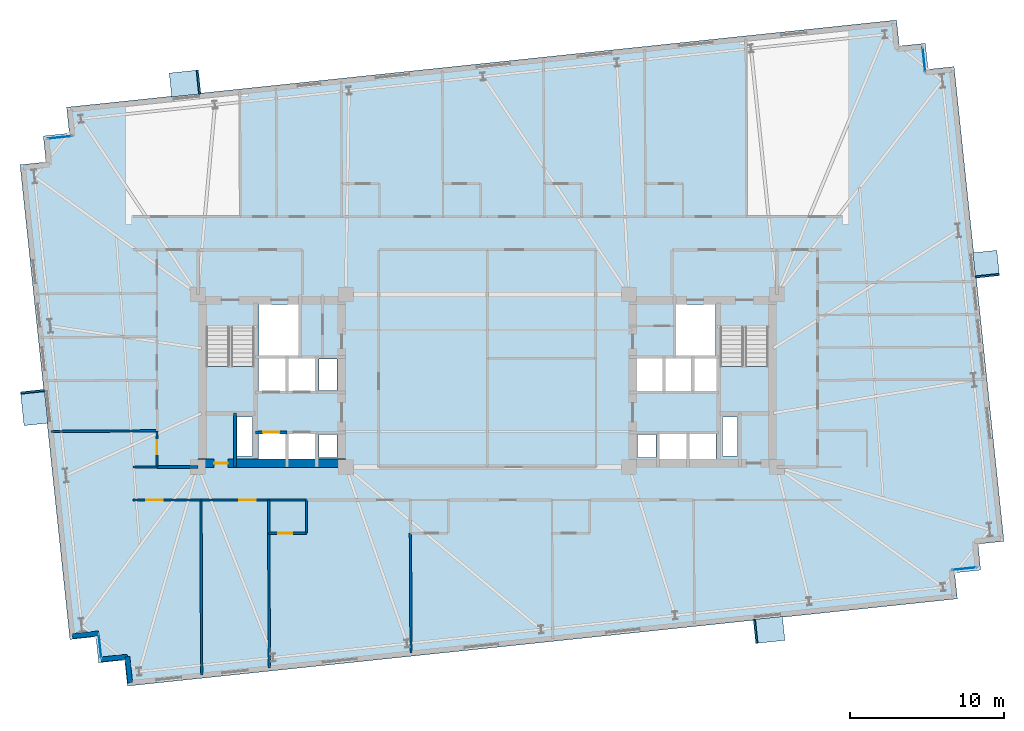
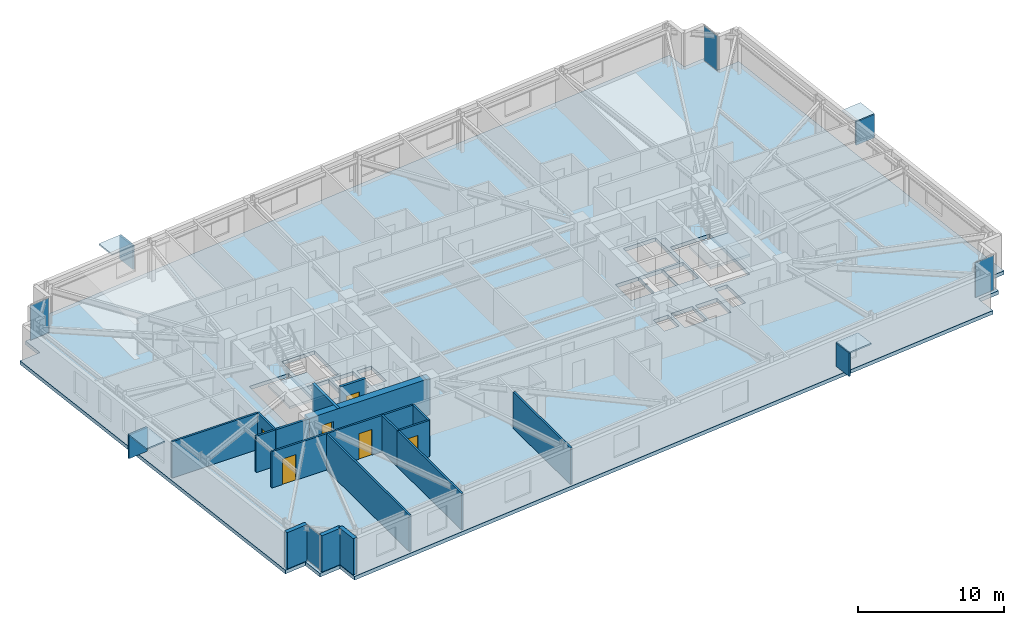
# One storey, part 11 of 20: 19 walls, 12 plates, 6 doors, 3 slabs, 6 openings, 6 elements without a shape of their own.
"""IFC4 building model written with IfcOpenShell, lengths in metres."""

from ifc_helpers import new_model, si_unit, direction, frame, frame_2d, origin, origin_2d, place, context, subcontext, project, spatial, polyline, rectangle, outline, extrude, material, layer, layer_set, type_object, element, fill, aggregate, save


model = new_model("IFC4")

# Units and contexts
model_context = context("Model", 3, precision=1e-05, world=origin(), true_north=direction((0.0, 1.0)))
body_context = subcontext(model_context, "Body", "Model", "MODEL_VIEW")
ifc_project = project(units=[si_unit("LENGTHUNIT", "METRE"), si_unit("AREAUNIT", "SQUARE_METRE"), si_unit("VOLUMEUNIT", "CUBIC_METRE"), si_unit("PLANEANGLEUNIT", "RADIAN"), si_unit("MASSUNIT", "GRAM", prefix="KILO")], contexts=[model_context])

# Site, building, storey
site_placement = place(None, origin())
site = spatial("IfcSite", under=ifc_project, at=site_placement, CompositionType="ELEMENT")
building_placement = place(site_placement, origin())
building = spatial("IfcBuilding", under=site, at=building_placement, Name="Qobustan Lattice House", CompositionType="ELEMENT")
storey_placement = place(building_placement, frame((0.0, 0.0, 89.050048828125)))
storey = spatial("IfcBuildingStorey", under=building, at=storey_placement, Name="L24", CompositionType="ELEMENT", Elevation=89.050048828125)

# Curtain wall, plate
ifc_material_1 = material(Name="Anodised aluminium and low-E glazing", Category="aluminium")
ifc_layer_1 = layer(ifc_material_1, 0.219970703125)
ifc_layer_set_1 = layer_set([ifc_layer_1], Name="Anodised aluminium and low-E glazing")
curtain_wall_type = type_object("IfcCurtainWallType", Name="CW-FAC-01", PredefinedType="USERDEFINED", material=ifc_layer_set_1)
curtain_wall_1_placement = place(storey_placement, origin())
curtain_wall_1 = element("IfcCurtainWall", 1, at=curtain_wall_1_placement, inside=storey, type_object=curtain_wall_type, Name="L24 serrated corner faceted glazing 3", ObjectType="CURTAIN WALL", PredefinedType="USERDEFINED")
ifc_material_2 = material(Name="Clear low-E laminated glass", Category="glass")
ifc_layer_2 = layer(ifc_material_2, 0.031982421875)
ifc_layer_set_2 = layer_set([ifc_layer_2], Name="Clear low-E laminated glass")
plate_type_1 = type_object("IfcPlateType", Name="CWP-VISION-32", PredefinedType="CURTAIN_PANEL", material=ifc_layer_set_2)
plate_1_placement = place(storey_placement, frame((-25.155029296875, -17.2509765625, 0.06494140625), z_axis=(0.0, 0.0, 1.0), x_axis=(-0.104528620025, 0.994521878892, 0.0)))
plate_1 = element("IfcPlate", 2, at=plate_1_placement, type_object=plate_type_1, Name="CW-F1 panel 1.1", PredefinedType="CURTAIN_PANEL", context=body_context, shape_type="SweptSolid", body=[
    extrude(rectangle(XDim=1.56005859375, YDim=0.031982421875, at=origin_2d()), origin(), (0.0, 0.0, 1.0), 2.9150390625),
])
aggregate(curtain_wall_1, [plate_1])

curtain_wall_2_placement = place(storey_placement, origin())
curtain_wall_2 = element("IfcCurtainWall", 3, at=curtain_wall_2_placement, inside=storey, type_object=curtain_wall_type, Name="L24 serrated corner faceted glazing 8", ObjectType="CURTAIN WALL", PredefinedType="USERDEFINED")
plate_2_placement = place(storey_placement, frame((-27.77490234375, 15.80615234375, 0.06494140625), z_axis=(0.0, 0.0, 1.0), x_axis=(0.994521878892, 0.104528620025, 0.0)))
plate_2 = element("IfcPlate", 4, at=plate_2_placement, type_object=plate_type_1, Name="CW-F1 panel 1.1", PredefinedType="CURTAIN_PANEL", context=body_context, shape_type="SweptSolid", body=[
    extrude(rectangle(XDim=1.56005859375, YDim=0.031982421875, at=origin_2d()), origin(), (0.0, 0.0, 1.0), 2.9150390625),
])
aggregate(curtain_wall_2, [plate_2])

curtain_wall_3_placement = place(storey_placement, origin())
curtain_wall_3 = element("IfcCurtainWall", 5, at=curtain_wall_3_placement, inside=storey, type_object=curtain_wall_type, Name="L24 serrated corner faceted glazing 13", ObjectType="CURTAIN WALL", PredefinedType="USERDEFINED")
plate_3_placement = place(storey_placement, frame((28.355224609375, 20.85107421875, 0.06494140625), z_axis=(0.0, 0.0, 1.0), x_axis=(0.104528620025, -0.994521878892, 0.0)))
plate_3 = element("IfcPlate", 6, at=plate_3_placement, type_object=plate_type_1, Name="CW-F1 panel 1.1", PredefinedType="CURTAIN_PANEL", context=body_context, shape_type="SweptSolid", body=[
    extrude(rectangle(XDim=1.56005859375, YDim=0.031982421875, at=origin_2d()), origin(), (0.0, 0.0, 1.0), 2.9150390625),
])
aggregate(curtain_wall_3, [plate_3])

curtain_wall_4_placement = place(storey_placement, origin())
curtain_wall_4 = element("IfcCurtainWall", 7, at=curtain_wall_4_placement, inside=storey, type_object=curtain_wall_type, Name="L24 serrated corner faceted glazing 18", ObjectType="CURTAIN WALL", PredefinedType="USERDEFINED")
plate_4_placement = place(storey_placement, frame((30.974853515625, -12.206298828125, 0.06494140625), z_axis=(0.0, 0.0, 1.0), x_axis=(-0.994521878892, -0.104528620025, 0.0)))
plate_4 = element("IfcPlate", 8, at=plate_4_placement, type_object=plate_type_1, Name="CW-F1 panel 1.1", PredefinedType="CURTAIN_PANEL", context=body_context, shape_type="SweptSolid", body=[
    extrude(rectangle(XDim=1.56005859375, YDim=0.031982421875, at=origin_2d()), origin(), (0.0, 0.0, 1.0), 2.9150390625),
])
aggregate(curtain_wall_4, [plate_4])

# Plates
ifc_material_3 = material(Name="Qobustan limestone GFRC", Category="masonry")
ifc_layer_3 = layer(ifc_material_3, 0.1201171875)
ifc_layer_set_3 = layer_set([ifc_layer_3], Name="Qobustan limestone GFRC")
plate_type_2 = type_object("IfcPlateType", Name="SHD-HOOD-BROW", PredefinedType="USERDEFINED", material=ifc_layer_set_3)
plate_5_placement = place(storey_placement, frame((-29.4296875, -1.743408203125, 2.699951171875), z_axis=(0.0, 0.0, 1.0), x_axis=(-0.104528463268, 0.994521895368, 0.0)))
element("IfcPlate", 9, at=plate_5_placement, inside=storey, type_object=plate_type_2, Name="L24 splayed Qobustan stone hood brow", ObjectType="SUNSHADE", PredefinedType="USERDEFINED", context=body_context, shape_type="SweptSolid", body=[
    extrude(rectangle(XDim=2.18994140625, YDim=1.56005859375, at=origin_2d()), origin(), (0.0, 0.0, 1.0), 0.1201171875),
])
plate_6_placement = place(storey_placement, frame((-29.537841796875, -0.714111328125, 0.7900390625), z_axis=(0.0, 0.0, 1.0), x_axis=(-0.104528463268, 0.994521895368, 0.0)))
element("IfcPlate", 10, at=plate_6_placement, inside=storey, type_object=plate_type_2, Name="L24 splayed Qobustan stone hood cheek", ObjectType="SUNSHADE", PredefinedType="USERDEFINED", context=body_context, shape_type="SweptSolid", body=[
    extrude(rectangle(XDim=0.1201171875, YDim=1.56005859375, at=origin_2d()), origin(), (0.0, 0.0, 1.0), 1.969970703125),
])
plate_7_placement = place(storey_placement, frame((-19.640380859375, 19.3056640625, 2.699951171875), z_axis=(0.0, 0.0, 1.0), x_axis=(0.994521895368, 0.104528463268, 0.0)))
element("IfcPlate", 11, at=plate_7_placement, inside=storey, type_object=plate_type_2, Name="L24 splayed Qobustan stone hood brow", ObjectType="SUNSHADE", PredefinedType="USERDEFINED", context=body_context, shape_type="SweptSolid", body=[
    extrude(rectangle(XDim=1.889892578125, YDim=1.56005859375, at=origin_2d()), origin(), (0.0, 0.0, 1.0), 0.1201171875),
])
plate_8_placement = place(storey_placement, frame((-18.76025390625, 19.398193359375, 0.7900390625), z_axis=(0.0, 0.0, 1.0), x_axis=(0.994521895368, 0.104528463268, 0.0)))
element("IfcPlate", 12, at=plate_8_placement, inside=storey, type_object=plate_type_2, Name="L24 splayed Qobustan stone hood cheek", ObjectType="SUNSHADE", PredefinedType="USERDEFINED", context=body_context, shape_type="SweptSolid", body=[
    extrude(rectangle(XDim=0.1201171875, YDim=1.56005859375, at=origin_2d()), origin(), (0.0, 0.0, 1.0), 1.969970703125),
])
plate_9_placement = place(storey_placement, frame((32.39501953125, 7.573974609375, 2.699951171875), z_axis=(0.0, 0.0, 1.0), x_axis=(0.104528463268, -0.994521895368, 0.0)))
element("IfcPlate", 13, at=plate_9_placement, inside=storey, type_object=plate_type_2, Name="L24 splayed Qobustan stone hood brow", ObjectType="SUNSHADE", PredefinedType="USERDEFINED", context=body_context, shape_type="SweptSolid", body=[
    extrude(rectangle(XDim=1.639892578125, YDim=1.56005859375, at=origin_2d()), origin(), (0.0, 0.0, 1.0), 0.1201171875),
])
plate_10_placement = place(storey_placement, frame((32.474609375, 6.818115234375, 0.7900390625), z_axis=(0.0, 0.0, 1.0), x_axis=(0.104528463268, -0.994521895368, 0.0)))
element("IfcPlate", 14, at=plate_10_placement, inside=storey, type_object=plate_type_2, Name="L24 splayed Qobustan stone hood cheek", ObjectType="SUNSHADE", PredefinedType="USERDEFINED", context=body_context, shape_type="SweptSolid", body=[
    extrude(rectangle(XDim=0.1201171875, YDim=1.56005859375, at=origin_2d()), origin(), (0.0, 0.0, 1.0), 1.969970703125),
])
plate_11_placement = place(storey_placement, frame((18.302001953125, -16.1826171875, 2.699951171875), z_axis=(0.0, 0.0, 1.0), x_axis=(-0.994521895368, -0.104528463268, 0.0)))
element("IfcPlate", 15, at=plate_11_placement, inside=storey, type_object=plate_type_2, Name="L24 splayed Qobustan stone hood brow", ObjectType="SUNSHADE", PredefinedType="USERDEFINED", context=body_context, shape_type="SweptSolid", body=[
    extrude(rectangle(XDim=1.889892578125, YDim=1.56005859375, at=origin_2d()), origin(), (0.0, 0.0, 1.0), 0.1201171875),
])
plate_12_placement = place(storey_placement, frame((17.421875, -16.275146484375, 0.7900390625), z_axis=(0.0, 0.0, 1.0), x_axis=(-0.994521895368, -0.104528463268, 0.0)))
element("IfcPlate", 16, at=plate_12_placement, inside=storey, type_object=plate_type_2, Name="L24 splayed Qobustan stone hood cheek", ObjectType="SUNSHADE", PredefinedType="USERDEFINED", context=body_context, shape_type="SweptSolid", body=[
    extrude(rectangle(XDim=0.1201171875, YDim=1.56005859375, at=origin_2d()), origin(), (0.0, 0.0, 1.0), 1.969970703125),
])

# Slab
ifc_material_4 = material(Name="Concrete C40/50", Category="concrete")
ifc_layer_4 = layer(ifc_material_4, 0.304931640625)
ifc_layer_set_4 = layer_set([ifc_layer_4], Name="Concrete C40/50")
slab_type_1 = type_object("IfcSlabType", Name="SLB-FLR-305", PredefinedType="FLOOR", material=ifc_layer_set_4)
slab_1_placement = place(storey_placement, frame((0.0, 0.0, -0.304931640625)))
element("IfcSlab", 17, at=slab_1_placement, inside=storey, type_object=slab_type_1, Name="L24 structural floor slab", PredefinedType="FLOOR", context=body_context, shape_type="SweptSolid", body=[
    extrude(outline(polyline([(-23.3759765625, -19.8291015625), (30.527099609375, -14.163818359375), (30.349365234375, -12.47314453125), (32.0400390625, -12.29541015625), (31.8623046875, -10.604736328125), (33.552978515625, -10.427001953125), (30.312744140625, 20.4033203125), (28.6220703125, 20.2255859375), (28.4443359375, 21.916259765625), (26.753662109375, 21.738525390625), (26.575927734375, 23.42919921875), (-27.3271484375, 17.763671875), (-27.1494140625, 16.072998046875), (-28.840087890625, 15.8955078125), (-28.662353515625, 14.20458984375), (-30.35302734375, 14.027099609375), (-27.11279296875, -16.80322265625), (-25.422119140625, -16.62548828125), (-25.244384765625, -18.316162109375), (-23.5537109375, -18.138427734375), (-23.3759765625, -19.8291015625)]), holes=[polyline([(-18.25, -2.050048828125), (-18.25, 3.489990234375), (-15.1298828125, 3.489990234375), (-15.1298828125, -2.050048828125), (-18.25, -2.050048828125)]), polyline([(15.1298828125, -2.050048828125), (15.1298828125, 3.489990234375), (18.25, 3.489990234375), (18.25, -2.050048828125), (15.1298828125, -2.050048828125)]), polyline([(-14.820068359375, 1.64990234375), (-14.820068359375, 4.9599609375), (-12.25, 4.9599609375), (-12.25, 1.64990234375), (-14.820068359375, 1.64990234375)]), polyline([(12.25, 1.64990234375), (12.25, 4.9599609375), (14.820068359375, 4.9599609375), (14.820068359375, 1.64990234375), (12.25, 1.64990234375)]), polyline([(-16.260009765625, -4.8798828125), (-16.260009765625, -2.360107421875), (-15.260009765625, -2.360107421875), (-15.260009765625, -4.8798828125), (-16.260009765625, -4.8798828125)]), polyline([(15.260009765625, -4.8798828125), (15.260009765625, -2.360107421875), (16.260009765625, -2.360107421875), (16.260009765625, -4.8798828125), (15.260009765625, -4.8798828125)]), polyline([(-14.85009765625, -5.35009765625), (-14.85009765625, -3.419921875), (-13.1201171875, -3.419921875), (-13.1201171875, -5.35009765625), (-14.85009765625, -5.35009765625)]), polyline([(-12.919921875, -5.35009765625), (-12.919921875, -3.419921875), (-11.179931640625, -3.419921875), (-11.179931640625, -5.35009765625), (-12.919921875, -5.35009765625)]), polyline([(-14.85009765625, -0.679931640625), (-14.85009765625, 1.47998046875), (-13.1201171875, 1.47998046875), (-13.1201171875, -0.679931640625), (-14.85009765625, -0.679931640625)]), polyline([(-12.919921875, -0.679931640625), (-12.919921875, 1.47998046875), (-11.179931640625, 1.47998046875), (-11.179931640625, -0.679931640625), (-12.919921875, -0.679931640625)]), polyline([(-10.93994140625, -5.0), (-10.93994140625, -3.47998046875), (-9.760009765625, -3.47998046875), (-9.760009765625, -5.0), (-10.93994140625, -5.0)]), polyline([(-10.93994140625, -0.6201171875), (-10.93994140625, 1.419921875), (-9.760009765625, 1.419921875), (-9.760009765625, -0.6201171875), (-10.93994140625, -0.6201171875)]), polyline([(11.179931640625, -5.35009765625), (11.179931640625, -3.419921875), (12.919921875, -3.419921875), (12.919921875, -5.35009765625), (11.179931640625, -5.35009765625)]), polyline([(13.1201171875, -5.35009765625), (13.1201171875, -3.419921875), (14.85009765625, -3.419921875), (14.85009765625, -5.35009765625), (13.1201171875, -5.35009765625)]), polyline([(9.760009765625, -5.0), (9.760009765625, -3.47998046875), (10.93994140625, -3.47998046875), (10.93994140625, -5.0), (9.760009765625, -5.0)]), polyline([(13.360107421875, -0.679931640625), (13.360107421875, 1.47998046875), (14.97998046875, 1.47998046875), (14.97998046875, -0.679931640625), (13.360107421875, -0.679931640625)]), polyline([(9.6201171875, -0.679931640625), (9.6201171875, 1.47998046875), (11.43994140625, 1.47998046875), (11.43994140625, -0.679931640625), (9.6201171875, -0.679931640625)]), polyline([(11.5, -0.679931640625), (11.5, 1.47998046875), (13.320068359375, 1.47998046875), (13.320068359375, -0.679931640625), (11.5, -0.679931640625)])]), origin(), (0.0, 0.0, 1.0), 0.304931640625),
])

# Stair, slab
ifc_material_5 = material(Name="Concrete C40/50", Category="concrete")
stair_type = type_object("IfcStairType", Name="STR-CORE-DOGLEG", PredefinedType="HALF_TURN_STAIR", material=ifc_material_5)
stair_1_placement = place(storey_placement, origin())
stair_1 = element("IfcStair", 18, at=stair_1_placement, inside=storey, type_object=stair_type, Name="L24 West protected exit stair ST-W1", PredefinedType="HALF_TURN_STAIR")
ifc_material_6 = material(Name="Concrete C40/50", Category="concrete")
ifc_layer_5 = layer(ifc_material_6, 0.199951171875)
ifc_layer_set_5 = layer_set([ifc_layer_5], Name="Concrete C40/50")
slab_type_2 = type_object("IfcSlabType", Name="SLB-LANDING-200", PredefinedType="LANDING", material=ifc_layer_set_5)
slab_2_placement = place(storey_placement, frame((0.0, 0.0, 1.474853515625)))
slab_2 = element("IfcSlab", 19, at=slab_2_placement, type_object=slab_type_2, Name="ST-W1 landing 1", PredefinedType="LANDING", context=body_context, shape_type="SweptSolid", body=[
    extrude(outline(polyline([(-18.25, 0.93505859375), (-18.25, -2.050048828125), (-15.1298828125, -2.050048828125), (-15.1298828125, 0.93505859375), (-18.25, 0.93505859375)])), origin(), (0.0, 0.0, 1.0), 0.2001953125),
])
aggregate(stair_1, [slab_2])

stair_2_placement = place(storey_placement, origin())
stair_2 = element("IfcStair", 20, at=stair_2_placement, inside=storey, type_object=stair_type, Name="L24 East protected exit stair ST-E1", PredefinedType="HALF_TURN_STAIR")
slab_3_placement = place(storey_placement, frame((0.0, 0.0, 1.474853515625)))
slab_3 = element("IfcSlab", 21, at=slab_3_placement, type_object=slab_type_2, Name="ST-E1 landing 1", PredefinedType="LANDING", context=body_context, shape_type="SweptSolid", body=[
    extrude(outline(polyline([(15.1298828125, 0.93505859375), (15.1298828125, -2.050048828125), (18.25, -2.050048828125), (18.25, 0.93505859375), (15.1298828125, 0.93505859375)])), origin(), (0.0, 0.0, 1.0), 0.2001953125),
])
aggregate(stair_2, [slab_3])

# Wall, opening, door
ifc_material_7 = material(Name="Concrete C60/75", Category="concrete")
ifc_layer_6 = layer(ifc_material_7, 0.56005859375)
ifc_layer_set_6 = layer_set([ifc_layer_6], Name="Concrete C60/75")
wall_type_1 = type_object("IfcWallType", Name="WAL-CORE-600", PredefinedType="SHEAR", material=ifc_layer_set_6)
wall_1_placement = place(storey_placement, frame((-18.800048828125, -5.35009765625, 0.0), z_axis=(0.0, 0.0, 1.0), x_axis=(1.0, 0.0, 0.0)))
wall_1 = element("IfcWall", 22, at=wall_1_placement, inside=storey, type_object=wall_type_1, Name="L24 split-core shear wall CW-S", PredefinedType="SHEAR", context=body_context, shape_type="SweptSolid", body=[
    extrude(rectangle(XDim=9.60009765625, YDim=0.56005859375, at=frame_2d((4.800048828125, 0.0))), origin(), (0.0, 0.0, 1.0), 3.044921875),
])
opening_1_placement = place(wall_1_placement, frame((1.050048828125, 0.0, 0.0)))
opening_1 = element("IfcOpeningElement", 23, at=opening_1_placement, cuts=wall_1, Name="Opening RD-01", PredefinedType="OPENING", context=body_context, shape_type="SweptSolid", body=[
    extrude(rectangle(XDim=0.89990234375, YDim=2.10009765625, at=frame_2d((0.449951171875, 1.050048828125))), frame((0.0, 0.2900390625, 0.0), z_axis=(0.0, -1.0, 0.0), x_axis=(1.0, 0.0, 0.0)), (0.0, 0.0, 1.0), 0.580078125),
])
ifc_material_8 = material(Name="Persian walnut timber and steel frame door", Category="steel")
door_type_1 = type_object("IfcDoorType", Name="DOR-RISER-FD-900x2100", OperationType="NOTDEFINED", PredefinedType="DOOR", material=ifc_material_8)
door_1_placement = place(opening_1_placement, origin())
door_1 = element("IfcDoor", 24, at=door_1_placement, inside=storey, type_object=door_type_1, Name="L24 core service riser access door W", OperationType="SINGLE_SWING_LEFT", OverallHeight=2.10009765625, OverallWidth=0.89990234375, PredefinedType="DOOR", context=body_context, shape_type="SweptSolid", body=[
    extrude(rectangle(XDim=0.89990234375, YDim=2.10009765625, at=frame_2d((0.449951171875, 1.050048828125))), frame((0.0, 0.02490234375, 0.0), z_axis=(0.0, -1.0, 0.0), x_axis=(1.0, 0.0, 0.0)), (0.0, 0.0, 1.0), 0.050048828125),
])
fill(opening_1, door_1)

# Walls
ifc_material_9 = material(Name="Precast concrete C40/50", Category="concrete")
ifc_layer_7 = layer(ifc_material_9, 0.320068359375)
ifc_layer_set_7 = layer_set([ifc_layer_7], Name="Precast concrete C40/50")
wall_type_2 = type_object("IfcWallType", Name="WAL-EXT-STONE-320", PredefinedType="SOLIDWALL", material=ifc_layer_set_7)
for number, where, z_axis, x_axis, name in (
    (25, (-23.197998046875, -19.609375, 0.0), (0.0, 0.0, 1.0), (-0.104550220202, 0.994519608382, 0.0), "L24 exterior limestone-clad wall 1"),
    (26, (-23.375732421875, -17.918701171875, 0.0), (0.0, 0.0, 1.0), (-0.994519608382, -0.104550220202, 0.0), "L24 exterior limestone-clad wall 2"),
):
    element("IfcWall", number, at=place(storey_placement, frame(where, z_axis=z_axis, x_axis=x_axis)), inside=storey, type_object=wall_type_2, Name=name, PredefinedType="SOLIDWALL", context=body_context, shape_type="SweptSolid", body=[
        extrude(rectangle(XDim=1.699951171875, YDim=0.320068359375, at=frame_2d((0.85009765625, 0.0))), origin(), (0.0, 0.0, 1.0), 3.044921875),
    ])
wall_2_placement = place(storey_placement, frame((-25.243896484375, -16.40576171875, 0.0), z_axis=(0.0, 0.0, 1.0), x_axis=(-0.994521177842, -0.104535289845, 0.0)))
element("IfcWall", 27, at=wall_2_placement, inside=storey, type_object=wall_type_2, Name="L24 exterior limestone-clad wall 4", PredefinedType="SOLIDWALL", context=body_context, shape_type="SweptSolid", body=[
    extrude(rectangle(XDim=1.7001953125, YDim=0.320068359375, at=frame_2d((0.85009765625, 0.0))), origin(), (0.0, 0.0, 1.0), 3.044921875),
])
ifc_material_10 = material(Name="Gypsum fireboard acoustic partition", Category="gypsum")
ifc_layer_8 = layer(ifc_material_10, 0.179931640625)
ifc_layer_set_8 = layer_set([ifc_layer_8], Name="Gypsum fireboard acoustic partition")
wall_type_3 = type_object("IfcWallType", Name="WAL-FIRE-180", PredefinedType="PARTITIONING", material=ifc_layer_set_8)
wall_3_placement = place(storey_placement, frame((-21.449951171875, -5.60009765625, 0.0), z_axis=(0.0, 0.0, 1.0), x_axis=(1.0, 0.0, 0.0)))
element("IfcWall", 28, at=wall_3_placement, inside=storey, type_object=wall_type_3, Name="L24 interior partition 57", PredefinedType="PARTITIONING", context=body_context, shape_type="SweptSolid", body=[
    extrude(rectangle(XDim=2.64990234375, YDim=0.179931640625, at=frame_2d((1.324951171875, 0.0))), origin(), (0.0, 0.0, 1.0), 3.044921875),
])

# Wall, opening, door
ifc_material_11 = material(Name="Acoustic twin-stud gypsum partition", Category="gypsum")
ifc_layer_9 = layer(ifc_material_11, 0.14990234375)
ifc_layer_set_9 = layer_set([ifc_layer_9], Name="Acoustic twin-stud gypsum partition")
wall_type_4 = type_object("IfcWallType", Name="WAL-PART-150", PredefinedType="PARTITIONING", material=ifc_layer_set_9)
wall_4_placement = place(storey_placement, frame((-18.60009765625, -7.75, 0.0), z_axis=(0.0, 0.0, 1.0), x_axis=(-1.0, 0.0, 0.0)))
wall_4 = element("IfcWall", 29, at=wall_4_placement, inside=storey, type_object=wall_type_4, Name="L24 interior partition 59", PredefinedType="PARTITIONING", context=body_context, shape_type="SweptSolid", body=[
    extrude(rectangle(XDim=4.39990234375, YDim=0.14990234375, at=frame_2d((2.199951171875, 0.0))), origin(), (0.0, 0.0, 1.0), 3.044921875),
])
opening_2_placement = place(wall_4_placement, frame((2.49609375, 0.0, 0.0)))
opening_2 = element("IfcOpeningElement", 30, at=opening_2_placement, cuts=wall_4, Name="Opening ID-02", PredefinedType="OPENING", context=body_context, shape_type="SweptSolid", body=[
    extrude(rectangle(XDim=1.050048828125, YDim=2.14990234375, at=frame_2d((0.52490234375, 1.074951171875))), frame((0.0, 0.0849609375, 0.0), z_axis=(0.0, -1.0, 0.0), x_axis=(1.0, 0.0, 0.0)), (0.0, 0.0, 1.0), 0.169921875),
])
ifc_material_12 = material(Name="Persian walnut timber and steel frame door", Category="steel")
door_type_2 = type_object("IfcDoorType", Name="DOR-STUDY-1050x2150", OperationType="NOTDEFINED", PredefinedType="DOOR", material=ifc_material_12)
door_2_placement = place(opening_2_placement, origin())
door_2 = element("IfcDoor", 31, at=door_2_placement, inside=storey, type_object=door_type_2, Name="L24 South-west floor corridor to Focus study room S1A door", OperationType="SINGLE_SWING_RIGHT", OverallHeight=2.14990234375, OverallWidth=1.050048828125, PredefinedType="DOOR", context=body_context, shape_type="SweptSolid", body=[
    extrude(rectangle(XDim=1.050048828125, YDim=2.14990234375, at=frame_2d((0.52490234375, 1.074951171875))), frame((0.0, 0.02490234375, 0.0), z_axis=(0.0, -1.0, 0.0), x_axis=(1.0, 0.0, 0.0)), (0.0, 0.0, 1.0), 0.050048828125),
])
fill(opening_2, door_2)

wall_5_placement = place(storey_placement, frame((-14.199951171875, -7.75, 0.0), z_axis=(0.0, 0.0, 1.0), x_axis=(-1.0, 0.0, 0.0)))
wall_5 = element("IfcWall", 32, at=wall_5_placement, inside=storey, type_object=wall_type_4, Name="L24 interior partition 60", PredefinedType="PARTITIONING", context=body_context, shape_type="SweptSolid", body=[
    extrude(rectangle(XDim=4.400146484375, YDim=0.14990234375, at=frame_2d((2.2001953125, 0.0))), origin(), (0.0, 0.0, 1.0), 3.044921875),
])
opening_3_placement = place(wall_5_placement, frame((0.853759765625, 0.0, 0.0)))
opening_3 = element("IfcOpeningElement", 33, at=opening_3_placement, cuts=wall_5, Name="Opening ID-02", PredefinedType="OPENING", context=body_context, shape_type="SweptSolid", body=[
    extrude(rectangle(XDim=1.050048828125, YDim=2.14990234375, at=frame_2d((0.52490234375, 1.074951171875))), frame((0.0, 0.0849609375, 0.0), z_axis=(0.0, -1.0, 0.0), x_axis=(1.0, 0.0, 0.0)), (0.0, 0.0, 1.0), 0.169921875),
])
door_3_placement = place(opening_3_placement, origin())
door_3 = element("IfcDoor", 34, at=door_3_placement, inside=storey, type_object=door_type_2, Name="L24 South-west floor corridor to Focus study room S1B door", OperationType="SINGLE_SWING_LEFT", OverallHeight=2.14990234375, OverallWidth=1.050048828125, PredefinedType="DOOR", context=body_context, shape_type="SweptSolid", body=[
    extrude(rectangle(XDim=1.050048828125, YDim=2.14990234375, at=frame_2d((0.52490234375, 1.074951171875))), frame((0.0, 0.02490234375, 0.0), z_axis=(0.0, -1.0, 0.0), x_axis=(1.0, 0.0, 0.0)), (0.0, 0.0, 1.0), 0.050048828125),
])
fill(opening_3, door_3)

# Walls
wall_6_placement = place(storey_placement, frame((-18.60009765625, -7.75, 0.0), z_axis=(0.0, 0.0, 1.0), x_axis=(0.003864456523, -0.99999253296, 0.0)))
element("IfcWall", 35, at=wall_6_placement, inside=storey, type_object=wall_type_4, Name="L24 interior partition 116", PredefinedType="PARTITIONING", context=body_context, shape_type="SweptSolid", body=[
    extrude(rectangle(XDim=11.37158203125, YDim=0.14990234375, at=frame_2d((5.685791015625, 0.0))), origin(), (0.0, 0.0, 1.0), 3.044921875),
])
wall_7_placement = place(storey_placement, frame((-14.199951171875, -9.89990234375, 0.0), z_axis=(0.0, 0.0, 1.0), x_axis=(0.005017078758, -0.999987414381, 0.0)))
element("IfcWall", 36, at=wall_7_placement, inside=storey, type_object=wall_type_4, Name="L24 interior partition 117", PredefinedType="PARTITIONING", context=body_context, shape_type="SweptSolid", body=[
    extrude(rectangle(XDim=8.759033203125, YDim=0.14990234375, at=frame_2d((4.37939453125, 0.0))), origin(), (0.0, 0.0, 1.0), 3.044921875),
])
wall_8_placement = place(storey_placement, frame((-5.0, -9.89990234375, 0.0), z_axis=(0.0, 0.0, 1.0), x_axis=(0.005639538101, -0.999984097679, 0.0)))
element("IfcWall", 37, at=wall_8_placement, inside=storey, type_object=wall_type_4, Name="L24 interior partition 121", PredefinedType="PARTITIONING", context=body_context, shape_type="SweptSolid", body=[
    extrude(rectangle(XDim=7.79248046875, YDim=0.14990234375, at=frame_2d((3.896240234375, 0.0))), origin(), (0.0, 0.0, 1.0), 3.044921875),
])
ifc_material_13 = material(Name="Concrete C40/50", Category="concrete")
ifc_layer_10 = layer(ifc_material_13, 0.199951171875)
ifc_layer_set_10 = layer_set([ifc_layer_10], Name="Concrete C40/50")
wall_type_5 = type_object("IfcWallType", Name="WAL-SHAFT-200", PredefinedType="PARTITIONING", material=ifc_layer_set_10)
wall_9_placement = place(storey_placement, frame((-16.39990234375, -5.60009765625, 0.0), z_axis=(0.0, 0.0, 1.0), x_axis=(0.0, 1.0, 0.0)))
element("IfcWall", 38, at=wall_9_placement, inside=storey, type_object=wall_type_5, Name="L24 interior partition 1", PredefinedType="PARTITIONING", context=body_context, shape_type="SweptSolid", body=[
    extrude(rectangle(XDim=3.489990234375, YDim=0.199951171875, at=frame_2d((1.7451171875, 0.0))), origin(), (0.0, 0.0, 1.0), 3.044921875),
])

# Wall, opening, door
wall_10_placement = place(storey_placement, frame((-15.050048828125, -3.35009765625, 0.0), z_axis=(0.0, 0.0, 1.0), x_axis=(1.0, 0.0, 0.0)))
wall_10 = element("IfcWall", 39, at=wall_10_placement, inside=storey, type_object=wall_type_5, Name="L24 interior partition 8", PredefinedType="PARTITIONING", context=body_context, shape_type="SweptSolid", body=[
    extrude(rectangle(XDim=2.030029296875, YDim=0.199951171875, at=frame_2d((1.01513671875, 0.0))), origin(), (0.0, 0.0, 1.0), 3.044921875),
])
opening_4_placement = place(wall_10_placement, frame((0.489990234375, 0.0, 0.0)))
opening_4 = element("IfcOpeningElement", 40, at=opening_4_placement, cuts=wall_10, Name="Opening LD-01", PredefinedType="OPENING", context=body_context, shape_type="SweptSolid", body=[
    extrude(rectangle(XDim=1.050048828125, YDim=2.10009765625, at=frame_2d((0.52490234375, 1.050048828125))), frame((0.0, 0.10986328125, 0.0), z_axis=(0.0, -1.0, 0.0), x_axis=(1.0, 0.0, 0.0)), (0.0, 0.0, 1.0), 0.219970703125),
])
ifc_material_14 = material(Name="Persian walnut timber and steel frame door", Category="steel")
door_type_3 = type_object("IfcDoorType", Name="DOR-LIFT-LD-1050x2100", OperationType="NOTDEFINED", PredefinedType="DOOR", material=ifc_material_14)
door_4_placement = place(opening_4_placement, origin())
door_4 = element("IfcDoor", 41, at=door_4_placement, inside=storey, type_object=door_type_3, Name="L24 lift landing door", OperationType="DOUBLE_DOOR_SLIDING", OverallHeight=2.10009765625, OverallWidth=1.050048828125, PredefinedType="DOOR", context=body_context, shape_type="SweptSolid", body=[
    extrude(rectangle(XDim=1.050048828125, YDim=2.10009765625, at=frame_2d((0.52490234375, 1.050048828125))), frame((0.0, 0.02490234375, 0.0), z_axis=(0.0, -1.0, 0.0), x_axis=(1.0, 0.0, 0.0)), (0.0, 0.0, 1.0), 0.050048828125),
])
fill(opening_4, door_4)

# Walls
ifc_material_15 = material(Name="Moisture-resistant acoustic plumbing wall", Category="gypsum")
ifc_layer_11 = layer(ifc_material_15, 0.14990234375)
ifc_layer_set_11 = layer_set([ifc_layer_11], Name="Moisture-resistant acoustic plumbing wall")
wall_type_6 = type_object("IfcWallType", Name="WAL-WET-150", PredefinedType="PLUMBINGWALL", material=ifc_layer_set_11)
wall_11_placement = place(storey_placement, frame((-23.0, -5.60009765625, 0.0), z_axis=(0.0, 0.0, 1.0), x_axis=(1.0, 0.0, 0.0)))
element("IfcWall", 42, at=wall_11_placement, inside=storey, type_object=wall_type_6, Name="L24 interior partition 58", PredefinedType="PLUMBINGWALL", context=body_context, shape_type="SweptSolid", body=[
    extrude(rectangle(XDim=1.550048828125, YDim=0.14990234375, at=frame_2d((0.77490234375, 0.0))), origin(), (0.0, 0.0, 1.0), 3.044921875),
])
wall_12_placement = place(storey_placement, frame((-11.75, -7.75, 0.0), z_axis=(0.0, 0.0, 1.0), x_axis=(-1.0, 0.0, 0.0)))
element("IfcWall", 43, at=wall_12_placement, inside=storey, type_object=wall_type_6, Name="L24 interior partition 62", PredefinedType="PLUMBINGWALL", context=body_context, shape_type="SweptSolid", body=[
    extrude(rectangle(XDim=2.449951171875, YDim=0.14990234375, at=frame_2d((1.22509765625, 0.0))), origin(), (0.0, 0.0, 1.0), 3.044921875),
])

# Wall, opening, door
wall_13_placement = place(storey_placement, frame((-21.449951171875, -5.60009765625, 0.0), z_axis=(0.0, 0.0, 1.0), x_axis=(0.0, 1.0, 0.0)))
wall_13 = element("IfcWall", 44, at=wall_13_placement, inside=storey, type_object=wall_type_6, Name="L24 interior partition 76", PredefinedType="PLUMBINGWALL", context=body_context, shape_type="SweptSolid", body=[
    extrude(rectangle(XDim=2.35009765625, YDim=0.14990234375, at=frame_2d((1.175048828125, 0.0))), origin(), (0.0, 0.0, 1.0), 3.044921875),
])
opening_5_placement = place(wall_13_placement, frame((0.833740234375, 0.0, 0.0)))
opening_5 = element("IfcOpeningElement", 45, at=opening_5_placement, cuts=wall_13, Name="Opening WD-01", PredefinedType="OPENING", context=body_context, shape_type="SweptSolid", body=[
    extrude(rectangle(XDim=0.89990234375, YDim=2.10009765625, at=frame_2d((0.449951171875, 1.050048828125))), frame((0.0, 0.0849609375, 0.0), z_axis=(0.0, -1.0, 0.0), x_axis=(1.0, 0.0, 0.0)), (0.0, 0.0, 1.0), 0.169921875),
])
ifc_material_16 = material(Name="Persian walnut timber and steel frame door", Category="steel")
door_type_4 = type_object("IfcDoorType", Name="DOR-WET-900x2100", OperationType="NOTDEFINED", PredefinedType="DOOR", material=ifc_material_16)
door_5_placement = place(opening_5_placement, origin())
door_5 = element("IfcDoor", 46, at=door_5_placement, inside=storey, type_object=door_type_4, Name="L24 Residence entrance hall L24W to Shared bathroom L24W door", OperationType="SINGLE_SWING_RIGHT", OverallHeight=2.10009765625, OverallWidth=0.89990234375, PredefinedType="DOOR", context=body_context, shape_type="SweptSolid", body=[
    extrude(rectangle(XDim=0.89990234375, YDim=2.10009765625, at=frame_2d((0.449951171875, 1.050048828125))), frame((0.0, 0.02490234375, 0.0), z_axis=(0.0, -1.0, 0.0), x_axis=(1.0, 0.0, 0.0)), (0.0, 0.0, 1.0), 0.050048828125),
])
fill(opening_5, door_5)

# Walls
wall_14_placement = place(storey_placement, frame((-28.33154296875, -3.2939453125, 0.0), z_axis=(0.0, 0.0, 1.0), x_axis=(0.99997961062, 0.006385792383, 0.0)))
element("IfcWall", 47, at=wall_14_placement, inside=storey, type_object=wall_type_6, Name="L24 interior partition 81", PredefinedType="PLUMBINGWALL", context=body_context, shape_type="SweptSolid", body=[
    extrude(rectangle(XDim=6.8818359375, YDim=0.14990234375, at=frame_2d((3.44091796875, 0.0))), origin(), (0.0, 0.0, 1.0), 3.044921875),
])
wall_15_placement = place(storey_placement, frame((-14.199951171875, -7.75, 0.0), z_axis=(0.0, 0.0, 1.0), x_axis=(0.0, -1.0, 0.0)))
element("IfcWall", 48, at=wall_15_placement, inside=storey, type_object=wall_type_6, Name="L24 interior partition 118", PredefinedType="PLUMBINGWALL", context=body_context, shape_type="SweptSolid", body=[
    extrude(rectangle(XDim=2.14990234375, YDim=0.14990234375, at=frame_2d((1.074951171875, 0.0))), origin(), (0.0, 0.0, 1.0), 3.044921875),
])

# Wall, opening, door
wall_16_placement = place(storey_placement, frame((-14.199951171875, -9.89990234375, 0.0), z_axis=(0.0, 0.0, 1.0), x_axis=(1.0, 0.0, 0.0)))
wall_16 = element("IfcWall", 49, at=wall_16_placement, inside=storey, type_object=wall_type_6, Name="L24 interior partition 119", PredefinedType="PLUMBINGWALL", context=body_context, shape_type="SweptSolid", body=[
    extrude(rectangle(XDim=2.449951171875, YDim=0.14990234375, at=frame_2d((1.22509765625, 0.0))), origin(), (0.0, 0.0, 1.0), 3.044921875),
])
opening_6_placement = place(wall_16_placement, frame((0.628662109375, 0.0, 0.0)))
opening_6 = element("IfcOpeningElement", 50, at=opening_6_placement, cuts=wall_16, Name="Opening WD-01", PredefinedType="OPENING", context=body_context, shape_type="SweptSolid", body=[
    extrude(rectangle(XDim=0.89990234375, YDim=2.10009765625, at=frame_2d((0.449951171875, 1.050048828125))), frame((0.0, 0.0849609375, 0.0), z_axis=(0.0, -1.0, 0.0), x_axis=(1.0, 0.0, 0.0)), (0.0, 0.0, 1.0), 0.169921875),
])
door_6_placement = place(opening_6_placement, origin())
door_6 = element("IfcDoor", 51, at=door_6_placement, inside=storey, type_object=door_type_4, Name="L24 Kitchenette and studio apartment L24-S2 to En-suite bathroom L24-S2 door", OperationType="SINGLE_SWING_LEFT", OverallHeight=2.10009765625, OverallWidth=0.89990234375, PredefinedType="DOOR", context=body_context, shape_type="SweptSolid", body=[
    extrude(rectangle(XDim=0.89990234375, YDim=2.10009765625, at=frame_2d((0.449951171875, 1.050048828125))), frame((0.0, 0.02490234375, 0.0), z_axis=(0.0, -1.0, 0.0), x_axis=(1.0, 0.0, 0.0)), (0.0, 0.0, 1.0), 0.050048828125),
])
fill(opening_6, door_6)

# Wall
wall_17_placement = place(storey_placement, frame((-11.75, -9.89990234375, 0.0), z_axis=(0.0, 0.0, 1.0), x_axis=(0.0, 1.0, 0.0)))
element("IfcWall", 52, at=wall_17_placement, inside=storey, type_object=wall_type_6, Name="L24 interior partition 120", PredefinedType="PLUMBINGWALL", context=body_context, shape_type="SweptSolid", body=[
    extrude(rectangle(XDim=2.14990234375, YDim=0.14990234375, at=frame_2d((1.074951171875, 0.0))), origin(), (0.0, 0.0, 1.0), 3.044921875),
])

save(model, "model.ifc")
